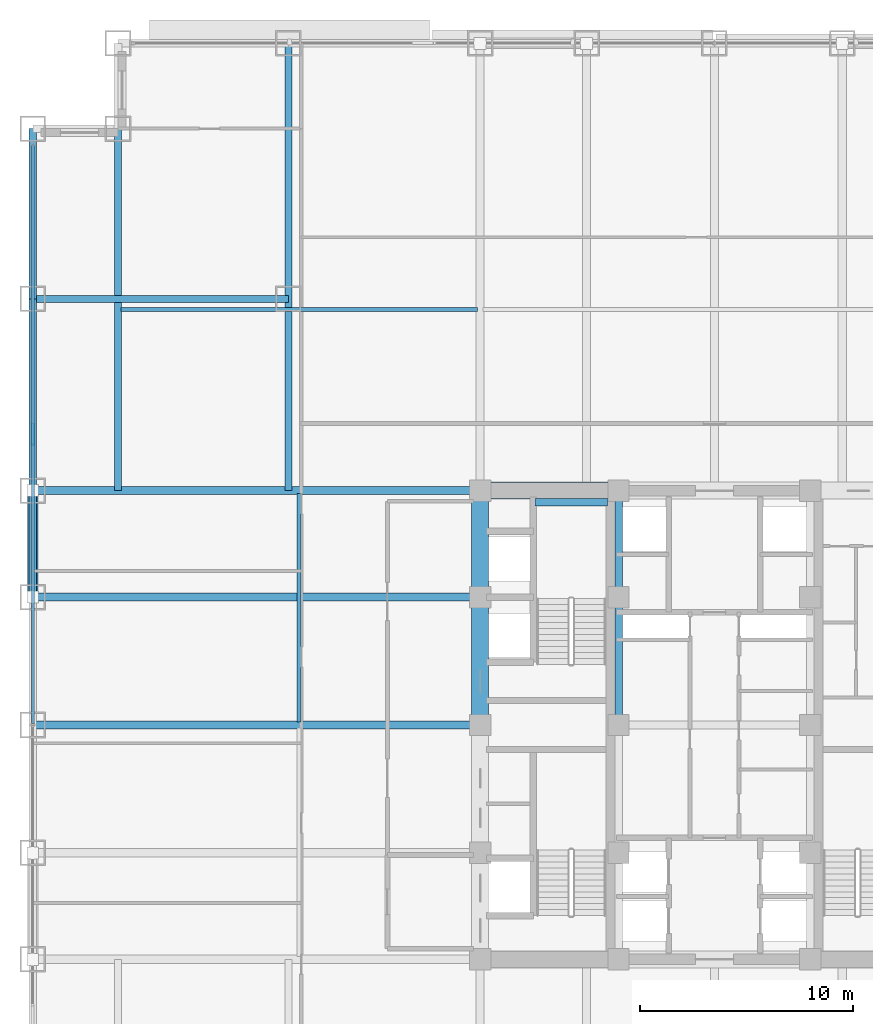
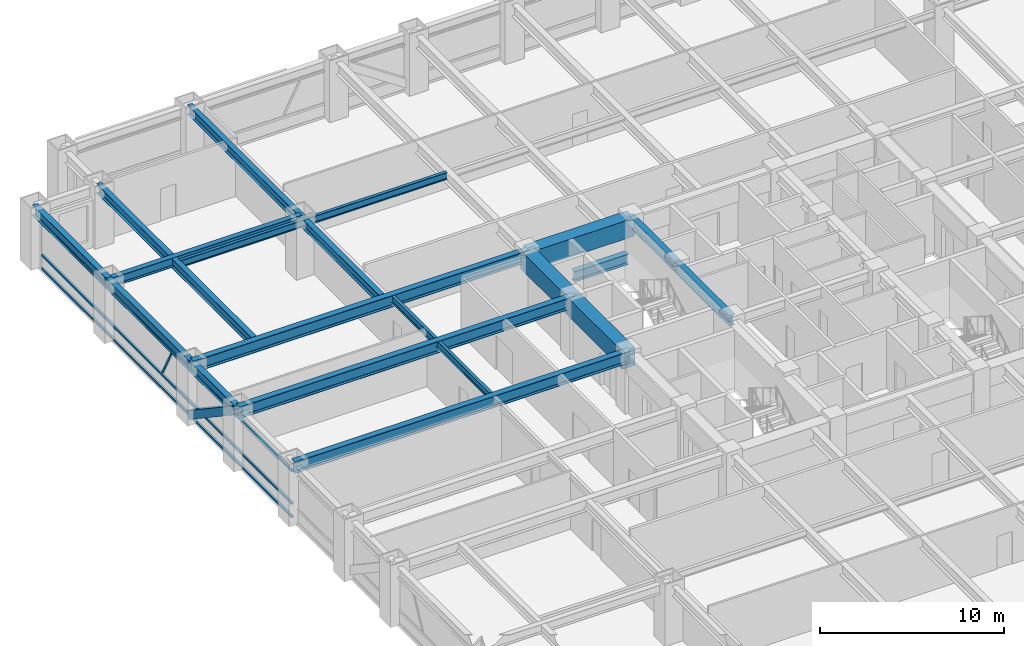
# One storey, part 9 of 32: 17 beams, 5 members, 1 element without a shape of its own.
"""IFC4 building model written with IfcOpenShell, lengths in metres."""

from ifc_helpers import new_model, si_unit, direction, frame, origin, origin_2d, place, context, subcontext, project, spatial, rectangle, hollow_rectangle, i_section, extrude, source, transform, mapped, material, material_profile, profile_set, type_object, element, aggregate, save


model = new_model("IFC4")

# Units and contexts
model_context = context("Model", 3, precision=1e-05, world=origin(), true_north=direction((0.0, 1.0)))
body_context = subcontext(model_context, "Body", "Model", "MODEL_VIEW")
ifc_project = project(units=[si_unit("LENGTHUNIT", "METRE"), si_unit("AREAUNIT", "SQUARE_METRE"), si_unit("VOLUMEUNIT", "CUBIC_METRE"), si_unit("PLANEANGLEUNIT", "RADIAN"), si_unit("MASSUNIT", "GRAM", prefix="KILO")], contexts=[model_context])

# Site, building, storey
site_placement = place(None, origin())
site = spatial("IfcSite", under=ifc_project, at=site_placement, CompositionType="ELEMENT")
building_placement = place(site_placement, origin())
building = spatial("IfcBuilding", under=site, at=building_placement, Name="Khorayat Bourse Tower", CompositionType="ELEMENT")
storey_placement = place(building_placement, frame((0.0, 0.0, 95.5)))
storey = spatial("IfcBuildingStorey", under=building, at=storey_placement, Name="L21", CompositionType="ELEMENT", Elevation=95.5)

# Beams
ifc_material_1 = material(Name="Concrete C72/90", Category="concrete")
ifc_material_profile_1 = material_profile(ifc_material_1, rectangle(XDim=0.800048828125, YDim=1.199951171875, at=origin_2d()), Name="RC 800x1200")
ifc_profile_set_1 = profile_set([ifc_material_profile_1], Name="Concrete C72/90")
beam_type_1 = type_object("IfcBeamType", Name="BM-COUP-1200", PredefinedType="BEAM", material=ifc_profile_set_1)
shared_shape_1 = source(origin(), body_context, "Body", "SweptSolid", [
    extrude(rectangle(XDim=0.800048828125, YDim=1.199951171875, at=origin_2d()), origin(), (0.0, 0.0, 1.0), 5.0),
])
beam_1_placement = place(storey_placement, frame((-11.0, 6.0, 3.239990234375), z_axis=(0.0, 1.0, 0.0), x_axis=(-1.0, 0.0, 0.0)))
element("IfcBeam", 1, at=beam_1_placement, inside=storey, type_object=beam_type_1, Name="L21 BM-COUP-1200 BM-L21-CRX-04", PredefinedType="BEAM", context=body_context, shape_type="MappedRepresentation", body=[
    mapped(shared_shape_1, transform((0.0, 0.0, 0.0), scale=1.0)),
])
shared_shape_2 = source(origin(), body_context, "Body", "SweptSolid", [
    extrude(rectangle(XDim=0.800048828125, YDim=1.199951171875, at=origin_2d()), origin(), (0.0, 0.0, 1.0), 6.0),
])
beam_2_placement = place(storey_placement, frame((-11.0, 0.0, 3.239990234375), z_axis=(0.0, 1.0, 0.0), x_axis=(-1.0, 0.0, 0.0)))
element("IfcBeam", 2, at=beam_2_placement, inside=storey, type_object=beam_type_1, Name="L21 BM-COUP-1200 BM-L21-CRX-03", PredefinedType="BEAM", context=body_context, shape_type="MappedRepresentation", body=[
    mapped(shared_shape_2, transform((0.0, 0.0, 0.0), scale=1.0)),
])
ifc_material_2 = material(Name="Steel ASTM A992 Grade 50", Category="steel")
ifc_material_profile_2 = material_profile(ifc_material_2, i_section(OverallWidth=0.35498046875, OverallDepth=0.695068359375, WebThickness=0.015380859375, FlangeThickness=0.02490234375, FilletRadius=0.01806640625, at=origin_2d()), Name="W690X217")
ifc_profile_set_2 = profile_set([ifc_material_profile_2], Name="Steel ASTM A992 Grade 50")
beam_type_2 = type_object("IfcBeamType", Name="BM-GIRD-690", PredefinedType="BEAM", material=ifc_profile_set_2)
shared_shape_3 = source(origin(), body_context, "Body", "SweptSolid", [
    extrude(i_section(OverallWidth=0.35498046875, OverallDepth=0.695068359375, WebThickness=0.015380859375, FlangeThickness=0.02490234375, FilletRadius=0.01806640625, at=origin_2d()), origin(), (0.0, 0.0, 1.0), 5.0),
])
beam_3_placement = place(storey_placement, frame((-4.5, 6.0, 3.492431640625), z_axis=(0.0, 1.0, 0.0), x_axis=(-1.0, 0.0, 0.0)))
element("IfcBeam", 3, at=beam_3_placement, inside=storey, type_object=beam_type_2, Name="L21 BM-GIRD-690 BM-L21-CRX-08", PredefinedType="BEAM", context=body_context, shape_type="MappedRepresentation", body=[
    mapped(shared_shape_3, transform((0.0, 0.0, 0.0), scale=1.0)),
])
shared_shape_4 = source(origin(), body_context, "Body", "SweptSolid", [
    extrude(i_section(OverallWidth=0.35498046875, OverallDepth=0.695068359375, WebThickness=0.015380859375, FlangeThickness=0.02490234375, FilletRadius=0.01806640625, at=origin_2d()), origin(), (0.0, 0.0, 1.0), 6.0),
])
beam_4_placement = place(storey_placement, frame((-4.5, 0.0, 3.492431640625), z_axis=(0.0, 1.0, 0.0), x_axis=(-1.0, 0.0, 0.0)))
element("IfcBeam", 4, at=beam_4_placement, inside=storey, type_object=beam_type_2, Name="L21 BM-GIRD-690 BM-L21-CRX-07", PredefinedType="BEAM", context=body_context, shape_type="MappedRepresentation", body=[
    mapped(shared_shape_4, transform((0.0, 0.0, 0.0), scale=1.0)),
])
shared_shape_5 = source(origin(), body_context, "Body", "SweptSolid", [
    extrude(rectangle(XDim=0.800048828125, YDim=1.199951171875, at=origin_2d()), origin(), (0.0, 0.0, 1.0), 6.5),
])
beam_5_placement = place(storey_placement, frame((-11.0, 11.0, 3.239990234375), z_axis=(1.0, 0.0, 0.0), x_axis=(0.0, 1.0, 0.0)))
element("IfcBeam", 5, at=beam_5_placement, inside=storey, type_object=beam_type_1, Name="L21 BM-COUP-1200 BM-L21-CRY-20", PredefinedType="BEAM", context=body_context, shape_type="MappedRepresentation", body=[
    mapped(shared_shape_5, transform((0.0, 0.0, 0.0), scale=1.0)),
])
shared_shape_6 = source(origin(), body_context, "Body", "SweptSolid", [
    extrude(i_section(OverallWidth=0.35498046875, OverallDepth=0.695068359375, WebThickness=0.015380859375, FlangeThickness=0.02490234375, FilletRadius=0.01806640625, at=origin_2d()), origin(), (0.0, 0.0, 1.0), 3.39990234375),
])
beam_6_placement = place(storey_placement, frame((-8.419921875, 10.449951171875, 1.50244140625), z_axis=(1.0, 0.0, 0.0), x_axis=(0.0, 1.0, 0.0)))
element("IfcBeam", 6, at=beam_6_placement, inside=storey, type_object=beam_type_2, Name="L21 BM-GIRD-690 BM-L21-ST2L", PredefinedType="BEAM", context=body_context, shape_type="MappedRepresentation", body=[
    mapped(shared_shape_6, transform((0.0, 0.0, 0.0), scale=1.0)),
])
ifc_material_profile_3 = material_profile(ifc_material_2, i_section(OverallWidth=0.35498046875, OverallDepth=0.695068359375, WebThickness=0.015380859375, FlangeThickness=0.02490234375, FilletRadius=0.01806640625, at=origin_2d()), Name="W690X217")
ifc_profile_set_3 = profile_set([ifc_material_profile_3], Name="Steel ASTM A992 Grade 50")
beam_type_3 = type_object("IfcBeamType", Name="BM-SPAN-690", PredefinedType="SPANDREL", material=ifc_profile_set_3)
shared_shape_7 = source(origin(), body_context, "Body", "SweptSolid", [
    extrude(i_section(OverallWidth=0.35498046875, OverallDepth=0.695068359375, WebThickness=0.015380859375, FlangeThickness=0.02490234375, FilletRadius=0.01806640625, at=origin_2d()), origin(), (0.0, 0.0, 1.0), 9.0),
])
beam_7_placement = place(storey_placement, frame((-32.0, 11.0, 3.492431640625), z_axis=(0.0, 1.0, 0.0), x_axis=(-1.0, 0.0, 0.0)))
element("IfcBeam", 7, at=beam_7_placement, inside=storey, type_object=beam_type_3, Name="L21 BM-SPAN-690 BM-L21-SPN-055", PredefinedType="SPANDREL", context=body_context, shape_type="MappedRepresentation", body=[
    mapped(shared_shape_7, transform((0.0, 0.0, 0.0), scale=1.0)),
])
shared_shape_8 = source(origin(), body_context, "Body", "SweptSolid", [
    extrude(i_section(OverallWidth=0.35498046875, OverallDepth=0.695068359375, WebThickness=0.015380859375, FlangeThickness=0.02490234375, FilletRadius=0.01806640625, at=origin_2d()), origin(), (0.0, 0.0, 1.0), 5.0),
])
beam_8_placement = place(storey_placement, frame((-32.0, 6.0, 3.492431640625), z_axis=(0.0, 1.0, 0.0), x_axis=(-1.0, 0.0, 0.0)))
element("IfcBeam", 8, at=beam_8_placement, inside=storey, type_object=beam_type_3, Name="L21 BM-SPAN-690 BM-L21-SPN-056", PredefinedType="SPANDREL", context=body_context, shape_type="MappedRepresentation", body=[
    mapped(shared_shape_8, transform((0.0, 0.0, 0.0), scale=1.0)),
])
ifc_material_profile_4 = material_profile(ifc_material_2, i_section(OverallWidth=0.324951171875, OverallDepth=0.615966796875, WebThickness=0.013916015625, FlangeThickness=0.021484375, FilletRadius=0.01611328125, at=origin_2d()), Name="W610X174")
ifc_profile_set_4 = profile_set([ifc_material_profile_4], Name="Steel ASTM A992 Grade 50")
beam_type_4 = type_object("IfcBeamType", Name="BM-GIRD-610", PredefinedType="BEAM", material=ifc_profile_set_4)
shared_shape_9 = source(origin(), body_context, "Body", "SweptSolid", [
    extrude(i_section(OverallWidth=0.324951171875, OverallDepth=0.615966796875, WebThickness=0.013916015625, FlangeThickness=0.021484375, FilletRadius=0.01611328125, at=origin_2d()), origin(), (0.0, 0.0, 1.0), 21.0),
])
beam_9_placement = place(storey_placement, frame((-20.0, 11.0, 3.531982421875), z_axis=(0.0, 1.0, 0.0), x_axis=(-1.0, 0.0, 0.0)))
element("IfcBeam", 9, at=beam_9_placement, inside=storey, type_object=beam_type_4, Name="L21 BM-GIRD-610 BM-L21-CNRY-085", PredefinedType="BEAM", context=body_context, shape_type="MappedRepresentation", body=[
    mapped(shared_shape_9, transform((0.0, 0.0, 0.0), scale=1.0)),
])
shared_shape_10 = source(origin(), body_context, "Body", "SweptSolid", [
    extrude(i_section(OverallWidth=0.324951171875, OverallDepth=0.615966796875, WebThickness=0.013916015625, FlangeThickness=0.021484375, FilletRadius=0.01611328125, at=origin_2d()), origin(), (0.0, 0.0, 1.0), 12.0),
])
beam_10_placement = place(storey_placement, frame((-32.0, 20.0, 3.531982421875), z_axis=(1.0, 0.0, 0.0), x_axis=(0.0, 1.0, 0.0)))
element("IfcBeam", 10, at=beam_10_placement, inside=storey, type_object=beam_type_4, Name="L21 BM-GIRD-610 BM-L21-CNRX-095", PredefinedType="BEAM", context=body_context, shape_type="MappedRepresentation", body=[
    mapped(shared_shape_10, transform((0.0, 0.0, 0.0), scale=1.0)),
])
ifc_material_profile_5 = material_profile(ifc_material_2, i_section(OverallWidth=0.194091796875, OverallDepth=0.468994140625, WebThickness=0.0126953125, FlangeThickness=0.0205078125, FilletRadius=0.012939453125, at=origin_2d()), Name="W460X106")
ifc_profile_set_5 = profile_set([ifc_material_profile_5], Name="Steel ASTM A992 Grade 50")
beam_type_5 = type_object("IfcBeamType", Name="BM-JOIST-460", PredefinedType="JOIST", material=ifc_profile_set_5)
shared_shape_11 = source(origin(), body_context, "Body", "SweptSolid", [
    extrude(i_section(OverallWidth=0.194091796875, OverallDepth=0.468994140625, WebThickness=0.0126953125, FlangeThickness=0.0205078125, FilletRadius=0.012939453125, at=origin_2d()), origin(), (0.0, 0.0, 1.0), 10.740234375),
])
beam_11_placement = place(storey_placement, frame((-19.5, 0.1298828125, 3.60546875), z_axis=(0.0, 1.0, 0.0), x_axis=(-1.0, 0.0, 0.0)))
element("IfcBeam", 11, at=beam_11_placement, inside=storey, type_object=beam_type_5, Name="L21 BM-JOIST-460 BM-L21-JSTY-103", PredefinedType="JOIST", context=body_context, shape_type="MappedRepresentation", body=[
    mapped(shared_shape_11, transform((0.0, 0.0, 0.0), scale=1.0)),
])
shared_shape_12 = source(origin(), body_context, "Body", "SweptSolid", [
    extrude(i_section(OverallWidth=0.35498046875, OverallDepth=0.695068359375, WebThickness=0.015380859375, FlangeThickness=0.02490234375, FilletRadius=0.01806640625, at=origin_2d()), origin(), (0.0, 0.0, 1.0), 8.0),
])
beam_12_placement = place(storey_placement, frame((-32.0, 20.0, 3.492431640625), z_axis=(0.0, 1.0, 0.0), x_axis=(-1.0, 0.0, 0.0)))
element("IfcBeam", 12, at=beam_12_placement, inside=storey, type_object=beam_type_3, Name="L21 BM-SPAN-690 BM-L21-SPN-054", PredefinedType="SPANDREL", context=body_context, shape_type="MappedRepresentation", body=[
    mapped(shared_shape_12, transform((0.0, 0.0, 0.0), scale=1.0)),
])
ifc_material_profile_6 = material_profile(ifc_material_2, i_section(OverallWidth=0.381103515625, OverallDepth=0.77294921875, WebThickness=0.0166015625, FlangeThickness=0.027587890625, FilletRadius=0.01806640625, at=origin_2d()), Name="W760X257")
ifc_profile_set_6 = profile_set([ifc_material_profile_6], Name="Steel ASTM A992 Grade 50")
beam_type_6 = type_object("IfcBeamType", Name="BM-GIRD-760", PredefinedType="BEAM", material=ifc_profile_set_6)
shared_shape_13 = source(origin(), body_context, "Body", "SweptSolid", [
    extrude(i_section(OverallWidth=0.381103515625, OverallDepth=0.77294921875, WebThickness=0.0166015625, FlangeThickness=0.027587890625, FilletRadius=0.01806640625, at=origin_2d()), origin(), (0.0, 0.0, 1.0), 21.0),
])
for number, where, z_axis, x_axis, name in (
    (13, (-32.0, 0.0, 3.45361328125), (1.0, 0.0, 0.0), (0.0, 1.0, 0.0), "L21 BM-GIRD-760 BM-L21-RADX-079"),
    (14, (-32.0, 6.0, 3.45361328125), (1.0, 0.0, 0.0), (0.0, 1.0, 0.0), "L21 BM-GIRD-760 BM-L21-RADX-081"),
    (15, (-32.0, 11.0, 3.45361328125), (1.0, 0.0, 0.0), (0.0, 1.0, 0.0), "L21 BM-GIRD-760 BM-L21-RADX-083"),
):
    element("IfcBeam", number, at=place(storey_placement, frame(where, z_axis=z_axis, x_axis=x_axis)), inside=storey, type_object=beam_type_6, Name=name, PredefinedType="BEAM", context=body_context, shape_type="MappedRepresentation", body=[
        mapped(shared_shape_13, transform((0.0, 0.0, 0.0), scale=1.0)),
    ])
shared_shape_14 = source(origin(), body_context, "Body", "SweptSolid", [
    extrude(i_section(OverallWidth=0.324951171875, OverallDepth=0.615966796875, WebThickness=0.013916015625, FlangeThickness=0.021484375, FilletRadius=0.01611328125, at=origin_2d()), origin(), (0.0, 0.0, 1.0), 17.0),
])
beam_13_placement = place(storey_placement, frame((-28.0, 11.0, 3.531982421875), z_axis=(0.0, 1.0, 0.0), x_axis=(-1.0, 0.0, 0.0)))
element("IfcBeam", 16, at=beam_13_placement, inside=storey, type_object=beam_type_4, Name="L21 BM-GIRD-610 BM-L21-CNRY-089", PredefinedType="BEAM", context=body_context, shape_type="MappedRepresentation", body=[
    mapped(shared_shape_14, transform((0.0, 0.0, 0.0), scale=1.0)),
])
shared_shape_15 = source(origin(), body_context, "Body", "SweptSolid", [
    extrude(i_section(OverallWidth=0.194091796875, OverallDepth=0.468994140625, WebThickness=0.0126953125, FlangeThickness=0.0205078125, FilletRadius=0.012939453125, at=origin_2d()), origin(), (0.0, 0.0, 1.0), 16.740234375),
])
beam_14_placement = place(storey_placement, frame((-27.8701171875, 19.5, 3.60546875), z_axis=(1.0, 0.0, 0.0), x_axis=(0.0, 1.0, 0.0)))
element("IfcBeam", 17, at=beam_14_placement, inside=storey, type_object=beam_type_5, Name="L21 BM-JOIST-460 BM-L21-JSTX-099", PredefinedType="JOIST", context=body_context, shape_type="MappedRepresentation", body=[
    mapped(shared_shape_15, transform((0.0, 0.0, 0.0), scale=1.0)),
])

# Member
ifc_material_3 = material(Name="Steel EN 10025-4 S460M", Category="steel")
ifc_material_profile_7 = material_profile(ifc_material_3, hollow_rectangle(XDim=0.5, YDim=0.5, WallThickness=0.028076171875, at=origin_2d()), Name="HSS 500x500x28")
ifc_profile_set_7 = profile_set([ifc_material_profile_7], Name="Steel EN 10025-4 S460M")
member_type_1 = type_object("IfcMemberType", Name="MBR-TUBE-500", PredefinedType="BRACE", material=ifc_profile_set_7)
shared_shape_16 = source(origin(), body_context, "Body", "SweptSolid", [
    extrude(hollow_rectangle(XDim=0.5, YDim=0.5, WallThickness=0.028076171875, at=origin_2d()), origin(), (0.0, 0.0, 1.0), 6.012939453125),
])
member_1_placement = place(storey_placement, frame((-32.0, 6.0, 3.590087890625), z_axis=(0.0, 0.831531473026, -0.555477640745), x_axis=(-1.0, 0.0, 0.0)))
element("IfcMember", 18, at=member_1_placement, inside=storey, type_object=member_type_1, Name="L21 Perimeter Tube Brace 06", PredefinedType="BRACE", context=body_context, shape_type="MappedRepresentation", body=[
    mapped(shared_shape_16, transform((0.0, 0.0, 0.0), scale=1.0)),
])

# Curtain wall, members
ifc_material_4 = material(Name="Aluminium EN AW-6063 T6", Category="aluminium")
curtain_wall_type = type_object("IfcCurtainWallType", Name="CW-SYS-02", PredefinedType="NOTDEFINED", material=ifc_material_4)
curtain_wall_placement = place(storey_placement, origin())
curtain_wall = element("IfcCurtainWall", 19, at=curtain_wall_placement, inside=storey, type_object=curtain_wall_type, Name="L21 Curtain Wall CW-L21-W1", PredefinedType="NOTDEFINED")
ifc_material_profile_8 = material_profile(ifc_material_4, hollow_rectangle(XDim=0.139892578125, YDim=0.139892578125, WallThickness=0.006103515625, at=origin_2d()), Name="ALU 140x140x6")
ifc_profile_set_8 = profile_set([ifc_material_profile_8], Name="Aluminium EN AW-6063 T6")
member_type_2 = type_object("IfcMemberType", Name="CWT-HORZ-140", PredefinedType="USERDEFINED", material=ifc_profile_set_8)
shared_shape_17 = source(origin(), body_context, "Body", "SweptSolid", [
    extrude(hollow_rectangle(XDim=0.139892578125, YDim=0.139892578125, WallThickness=0.006103515625, at=origin_2d()), origin(), (0.0, 0.0, 1.0), 27.139892578125),
])
member_2_placement = place(storey_placement, frame((-32.0, 0.070068359375, 0.070068359375), z_axis=(0.0, 1.0, 0.0), x_axis=(-1.0, 0.0, 0.0)))
member_2 = element("IfcMember", 20, at=member_2_placement, type_object=member_type_2, Name="CW-L21-W1 Horizontal Transom 2-1", ObjectType="TRANSOM", PredefinedType="USERDEFINED", context=body_context, shape_type="MappedRepresentation", body=[
    mapped(shared_shape_17, transform((0.0, 0.0, 0.0), scale=1.0)),
])
member_3_placement = place(storey_placement, frame((-32.0, 0.070068359375, 0.949951171875), z_axis=(0.0, 1.0, 0.0), x_axis=(-1.0, 0.0, 0.0)))
member_3 = element("IfcMember", 21, at=member_3_placement, type_object=member_type_2, Name="CW-L21-W1 Horizontal Transom 2-2", ObjectType="TRANSOM", PredefinedType="USERDEFINED", context=body_context, shape_type="MappedRepresentation", body=[
    mapped(shared_shape_17, transform((0.0, 0.0, 0.0), scale=1.0)),
])
member_4_placement = place(storey_placement, frame((-32.0, 0.070068359375, 3.1201171875), z_axis=(0.0, 1.0, 0.0), x_axis=(-1.0, 0.0, 0.0)))
member_4 = element("IfcMember", 22, at=member_4_placement, type_object=member_type_2, Name="CW-L21-W1 Horizontal Transom 2-3", ObjectType="TRANSOM", PredefinedType="USERDEFINED", context=body_context, shape_type="MappedRepresentation", body=[
    mapped(shared_shape_17, transform((0.0, 0.0, 0.0), scale=1.0)),
])
ifc_material_profile_9 = material_profile(ifc_material_4, hollow_rectangle(XDim=0.1201171875, YDim=0.1201171875, WallThickness=0.0048828125, at=origin_2d()), Name="ALU 120x120x5")
ifc_profile_set_9 = profile_set([ifc_material_profile_9], Name="Aluminium EN AW-6063 T6")
member_type_3 = type_object("IfcMemberType", Name="CWM-DIAG-120", PredefinedType="MULLION", material=ifc_profile_set_9)
shared_shape_18 = source(origin(), body_context, "Body", "SweptSolid", [
    extrude(hollow_rectangle(XDim=0.1201171875, YDim=0.1201171875, WallThickness=0.0048828125, at=origin_2d()), origin(), (0.0, 0.0, 1.0), 2.113037109375),
])
member_5_placement = place(storey_placement, frame((-32.0, 14.132080078125, 1.10009765625), z_axis=(0.0, -0.465741670874, 0.884920728659), x_axis=(1.0, 0.0, 0.0)))
member_5 = element("IfcMember", 23, at=member_5_placement, type_object=member_type_3, Name="CW-L21-W1 Faceted Diagonal Mullion 2", PredefinedType="MULLION", context=body_context, shape_type="MappedRepresentation", body=[
    mapped(shared_shape_18, transform((0.0, 0.0, 0.0), scale=1.0)),
])
aggregate(curtain_wall, [member_2, member_3, member_4, member_5])

save(model, "model.ifc")
